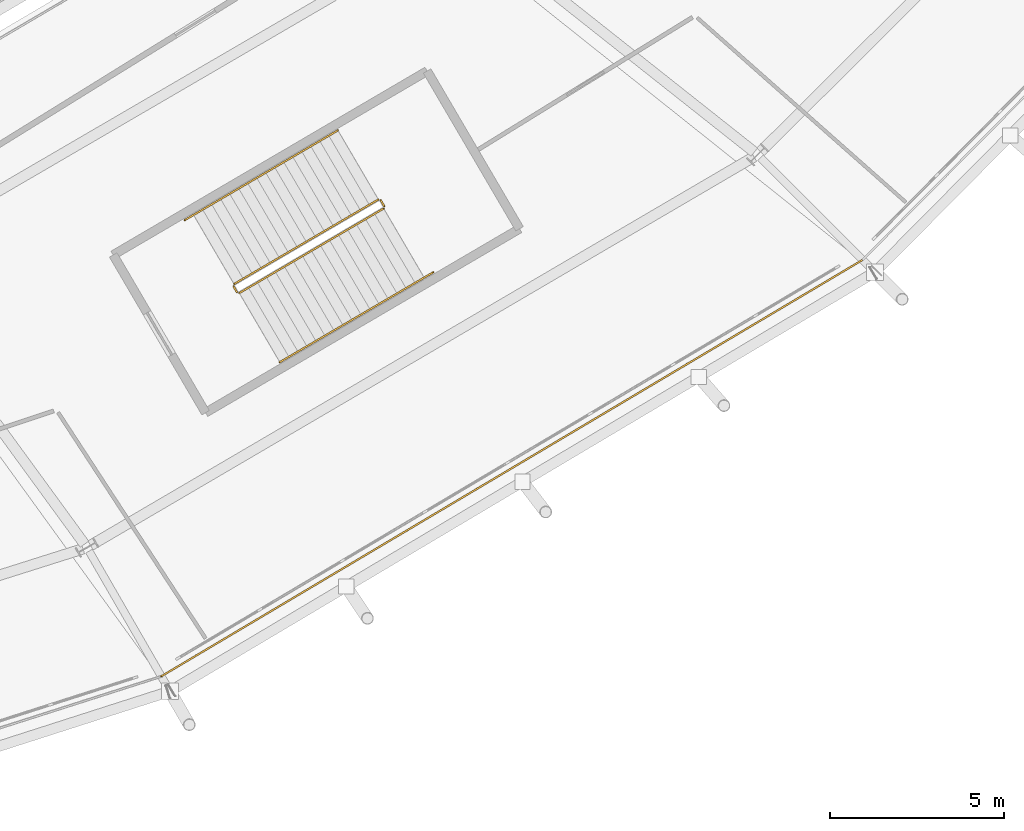
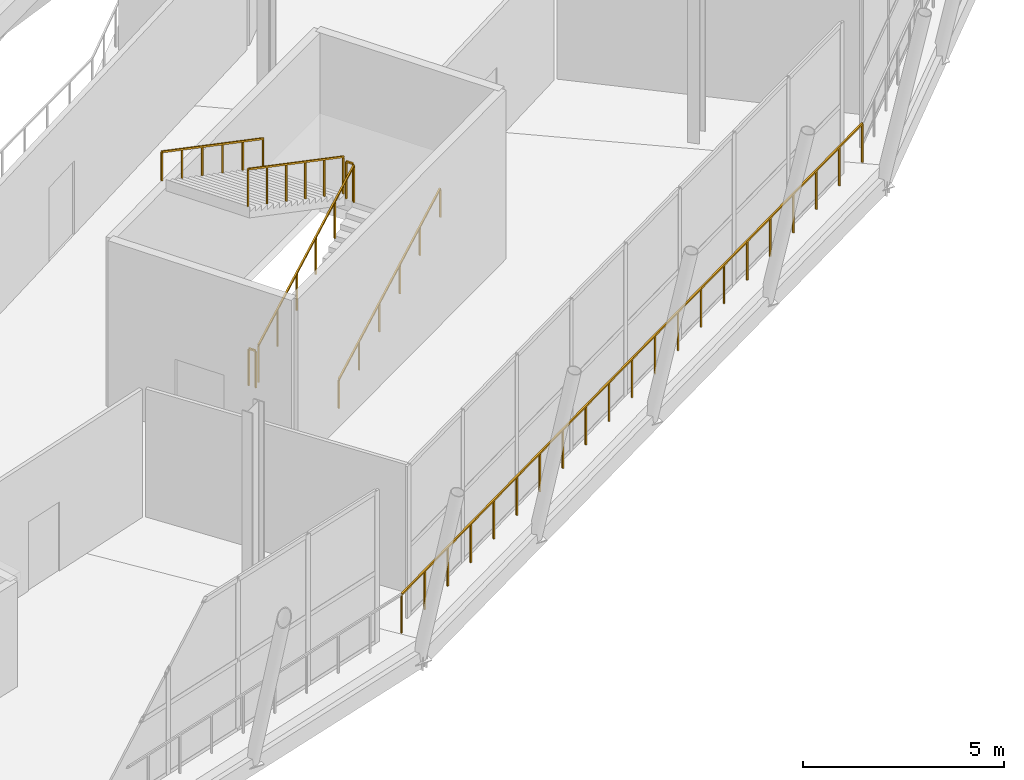
# One storey, part 117 of 126: 7 railings.
"""IFC4 building model written with IfcOpenShell, lengths in metres."""

from ifc_helpers import new_model, si_unit, direction, frame, origin, origin_2d, place, context, subcontext, project, spatial, rectangle, extrude, material, type_object, element, save


model = new_model("IFC4")

# Units and contexts
model_context = context("Model", 3, precision=1e-05, world=origin(), true_north=direction((0.0, 1.0)))
body_context = subcontext(model_context, "Body", "Model", "MODEL_VIEW")
ifc_project = project(units=[si_unit("LENGTHUNIT", "METRE"), si_unit("AREAUNIT", "SQUARE_METRE"), si_unit("VOLUMEUNIT", "CUBIC_METRE"), si_unit("PLANEANGLEUNIT", "RADIAN"), si_unit("MASSUNIT", "GRAM", prefix="KILO")], contexts=[model_context])

# Site, building, storey
site_placement = place(None, origin())
site = spatial("IfcSite", under=ifc_project, at=site_placement, CompositionType="ELEMENT")
building_placement = place(site_placement, origin())
building = spatial("IfcBuilding", under=site, at=building_placement, Name="Zlatoyarsky Gate Stadium", CompositionType="ELEMENT")
storey_placement = place(building_placement, frame((0.0, 0.0, 20.800048828125)))
storey = spatial("IfcBuildingStorey", under=building, at=storey_placement, Name="L04", CompositionType="ELEMENT", Elevation=20.800048828125)

# Railings
ifc_material_1 = material(Name="Powder-coated steel tubular guardrail", Category="steel")
railing_type_1 = type_object("IfcRailingType", Name="CONCOURSE SLAB EDGE GUARDRAIL 1200", PredefinedType="GUARDRAIL", material=ifc_material_1)
railing_1_placement = place(storey_placement, frame((159.634765625, 14.814697265625, 0.0)))
element("IfcRailing", 1, at=railing_1_placement, inside=storey, type_object=railing_type_1, Name="L04 outer slab edge guardrail 20", PredefinedType="GUARDRAIL", context=body_context, shape_type="SweptSolid", body=[
    extrude(rectangle(XDim=0.048095703125, YDim=0.048095703125, at=origin_2d()), frame((0.0, 0.0, 1.17578125), z_axis=(0.859846881346, 0.510551996019, 0.0), x_axis=(-0.510551996019, 0.859846881346, 0.0)), (0.0, 0.0, 1.0), 23.428955078125),
    extrude(rectangle(XDim=0.0419921875, YDim=0.0419921875, at=origin_2d()), origin(), (0.0, 0.0, 1.0), 1.15185546875),
    extrude(rectangle(XDim=0.0419921875, YDim=0.0419921875, at=origin_2d()), frame((1.00732421875, 0.59814453125, 0.0)), (0.0, 0.0, 1.0), 1.15185546875),
    extrude(rectangle(XDim=0.0419921875, YDim=0.0419921875, at=origin_2d()), frame((2.0146484375, 1.1962890625, 0.0)), (0.0, 0.0, 1.0), 1.15185546875),
    extrude(rectangle(XDim=0.0419921875, YDim=0.0419921875, at=origin_2d()), frame((3.021728515625, 1.794189453125, 0.0)), (0.0, 0.0, 1.0), 1.15185546875),
    extrude(rectangle(XDim=0.0419921875, YDim=0.0419921875, at=origin_2d()), frame((4.029052734375, 2.392333984375, 0.0)), (0.0, 0.0, 1.0), 1.15185546875),
    extrude(rectangle(XDim=0.0419921875, YDim=0.0419921875, at=origin_2d()), frame((5.036376953125, 2.990478515625, 0.0)), (0.0, 0.0, 1.0), 1.15185546875),
    extrude(rectangle(XDim=0.0419921875, YDim=0.0419921875, at=origin_2d()), frame((6.04345703125, 3.58837890625, 0.0)), (0.0, 0.0, 1.0), 1.15185546875),
    extrude(rectangle(XDim=0.0419921875, YDim=0.0419921875, at=origin_2d()), frame((7.05078125, 4.1865234375, 0.0)), (0.0, 0.0, 1.0), 1.15185546875),
    extrude(rectangle(XDim=0.0419921875, YDim=0.0419921875, at=origin_2d()), frame((8.05810546875, 4.78466796875, 0.0)), (0.0, 0.0, 1.0), 1.15185546875),
    extrude(rectangle(XDim=0.0419921875, YDim=0.0419921875, at=origin_2d()), frame((9.0654296875, 5.3828125, 0.0)), (0.0, 0.0, 1.0), 1.15185546875),
    extrude(rectangle(XDim=0.0419921875, YDim=0.0419921875, at=origin_2d()), frame((10.07275390625, 5.98095703125, 0.0)), (0.0, 0.0, 1.0), 1.15185546875),
    extrude(rectangle(XDim=0.0419921875, YDim=0.0419921875, at=origin_2d()), frame((11.079833984375, 6.578857421875, 0.0)), (0.0, 0.0, 1.0), 1.15185546875),
    extrude(rectangle(XDim=0.0419921875, YDim=0.0419921875, at=origin_2d()), frame((12.087158203125, 7.177001953125, 0.0)), (0.0, 0.0, 1.0), 1.15185546875),
    extrude(rectangle(XDim=0.0419921875, YDim=0.0419921875, at=origin_2d()), frame((13.094482421875, 7.775146484375, 0.0)), (0.0, 0.0, 1.0), 1.15185546875),
    extrude(rectangle(XDim=0.0419921875, YDim=0.0419921875, at=origin_2d()), frame((14.1015625, 8.373046875, 0.0)), (0.0, 0.0, 1.0), 1.15185546875),
    extrude(rectangle(XDim=0.0419921875, YDim=0.0419921875, at=origin_2d()), frame((15.10888671875, 8.97119140625, 0.0)), (0.0, 0.0, 1.0), 1.15185546875),
    extrude(rectangle(XDim=0.0419921875, YDim=0.0419921875, at=origin_2d()), frame((16.1162109375, 9.5693359375, 0.0)), (0.0, 0.0, 1.0), 1.15185546875),
    extrude(rectangle(XDim=0.0419921875, YDim=0.0419921875, at=origin_2d()), frame((17.12353515625, 10.16748046875, 0.0)), (0.0, 0.0, 1.0), 1.15185546875),
    extrude(rectangle(XDim=0.0419921875, YDim=0.0419921875, at=origin_2d()), frame((18.130859375, 10.765625, 0.0)), (0.0, 0.0, 1.0), 1.15185546875),
    extrude(rectangle(XDim=0.0419921875, YDim=0.0419921875, at=origin_2d()), frame((19.137939453125, 11.363525390625, 0.0)), (0.0, 0.0, 1.0), 1.15185546875),
    extrude(rectangle(XDim=0.0419921875, YDim=0.0419921875, at=origin_2d()), frame((20.145263671875, 11.961669921875, 0.0)), (0.0, 0.0, 1.0), 1.15185546875),
])
ifc_material_2 = material(Name="Powder-coated steel stair guardrail", Category="steel")
railing_type_2 = type_object("IfcRailingType", Name="PAINTED STEEL STAIR WELL GUARDRAIL 1150", PredefinedType="GUARDRAIL", material=ifc_material_2)
railing_2_placement = place(storey_placement, frame((161.8779296875, 25.8232421875, 0.15869140625)))
element("IfcRailing", 2, at=railing_2_placement, inside=storey, type_object=railing_type_2, Name="ST-11 L04 stair guard 1", PredefinedType="GUARDRAIL", context=body_context, shape_type="SweptSolid", body=[
    extrude(rectangle(XDim=0.048095703125, YDim=0.048095703125, at=origin_2d()), frame((0.0, 0.0, 1.1259765625), z_axis=(0.762561047884, 0.446730234253, 0.467902496311), x_axis=(-0.505476687537, 0.862840262364, 0.0)), (0.0, 0.0, 1.0), 5.43115234375),
    extrude(rectangle(XDim=0.0419921875, YDim=0.0419921875, at=origin_2d()), origin(), (0.0, 0.0, 1.0), 1.101806640625),
    extrude(rectangle(XDim=0.0419921875, YDim=0.0419921875, at=origin_2d()), frame((0.828369140625, 0.4853515625, 0.50830078125)), (0.0, 0.0, 1.0), 1.101806640625),
    extrude(rectangle(XDim=0.0419921875, YDim=0.0419921875, at=origin_2d()), frame((1.65673828125, 0.970458984375, 1.0166015625)), (0.0, 0.0, 1.0), 1.101806640625),
    extrude(rectangle(XDim=0.0419921875, YDim=0.0419921875, at=origin_2d()), frame((2.48486328125, 1.455810546875, 1.524658203125)), (0.0, 0.0, 1.0), 1.101806640625),
    extrude(rectangle(XDim=0.0419921875, YDim=0.0419921875, at=origin_2d()), frame((3.313232421875, 1.94091796875, 2.032958984375)), (0.0, 0.0, 1.0), 1.101806640625),
    extrude(rectangle(XDim=0.0419921875, YDim=0.0419921875, at=origin_2d()), frame((4.1416015625, 2.42626953125, 2.541259765625)), (0.0, 0.0, 1.0), 1.101806640625),
])
railing_3_placement = place(storey_placement, frame((166.037353515625, 28.31787109375, 2.699951171875)))
element("IfcRailing", 3, at=railing_3_placement, inside=storey, type_object=railing_type_2, Name="ST-11 L04 stair guard 2", PredefinedType="GUARDRAIL", context=body_context, shape_type="SweptSolid", body=[
    extrude(rectangle(XDim=0.048095703125, YDim=0.048095703125, at=origin_2d()), frame((0.0, 0.0, 1.1259765625), z_axis=(-0.505312229679, 0.862936585467, 0.0), x_axis=(-0.862936585467, -0.505312229679, 0.0)), (0.0, 0.0, 1.0), 0.199951171875),
    extrude(rectangle(XDim=0.0419921875, YDim=0.0419921875, at=origin_2d()), origin(), (0.0, 0.0, 1.0), 1.101806640625),
    extrude(rectangle(XDim=0.0419921875, YDim=0.0419921875, at=origin_2d()), frame((-0.10107421875, 0.172607421875, 0.0)), (0.0, 0.0, 1.0), 1.101806640625),
])
railing_4_placement = place(storey_placement, frame((165.867919921875, 28.50830078125, 2.85888671875)))
element("IfcRailing", 4, at=railing_4_placement, inside=storey, type_object=railing_type_2, Name="ST-11 L04 stair guard 3", PredefinedType="GUARDRAIL", context=body_context, shape_type="SweptSolid", body=[
    extrude(rectangle(XDim=0.048095703125, YDim=0.048095703125, at=origin_2d()), frame((0.0, 0.0, 1.1259765625), z_axis=(-0.762577086584, -0.446739630186, 0.467867384884), x_axis=(0.505476687537, -0.862840262364, 0.0)), (0.0, 0.0, 1.0), 5.43115234375),
    extrude(rectangle(XDim=0.0419921875, YDim=0.0419921875, at=origin_2d()), origin(), (0.0, 0.0, 1.0), 1.101806640625),
    extrude(rectangle(XDim=0.0419921875, YDim=0.0419921875, at=origin_2d()), frame((-0.828369140625, -0.4853515625, 0.50830078125)), (0.0, 0.0, 1.0), 1.101806640625),
    extrude(rectangle(XDim=0.0419921875, YDim=0.0419921875, at=origin_2d()), frame((-1.65673828125, -0.970458984375, 1.016357421875)), (0.0, 0.0, 1.0), 1.101806640625),
    extrude(rectangle(XDim=0.0419921875, YDim=0.0419921875, at=origin_2d()), frame((-2.48486328125, -1.455810546875, 1.524658203125)), (0.0, 0.0, 1.0), 1.101806640625),
    extrude(rectangle(XDim=0.0419921875, YDim=0.0419921875, at=origin_2d()), frame((-3.313232421875, -1.94091796875, 2.03271484375)), (0.0, 0.0, 1.0), 1.101806640625),
    extrude(rectangle(XDim=0.0419921875, YDim=0.0419921875, at=origin_2d()), frame((-4.1416015625, -2.42626953125, 2.541015625)), (0.0, 0.0, 1.0), 1.101806640625),
])
railing_5_placement = place(storey_placement, frame((161.809326171875, 25.841064453125, 0.0)))
element("IfcRailing", 5, at=railing_5_placement, inside=storey, type_object=railing_type_2, Name="ST-11 L04 stair guard 4", PredefinedType="GUARDRAIL", context=body_context, shape_type="SweptSolid", body=[
    extrude(rectangle(XDim=0.048095703125, YDim=0.048095703125, at=origin_2d()), frame((0.0, 0.0, 1.1259765625), z_axis=(-0.505312229679, 0.862936585467, 0.0), x_axis=(-0.862936585467, -0.505312229679, 0.0)), (0.0, 0.0, 1.0), 0.199951171875),
    extrude(rectangle(XDim=0.0419921875, YDim=0.0419921875, at=origin_2d()), origin(), (0.0, 0.0, 1.0), 1.101806640625),
    extrude(rectangle(XDim=0.0419921875, YDim=0.0419921875, at=origin_2d()), frame((-0.10107421875, 0.172607421875, 0.0)), (0.0, 0.0, 1.0), 1.101806640625),
])
ifc_material_3 = material(Name="Brushed stainless steel 316 handrail", Category="steel")
railing_type_3 = type_object("IfcRailingType", Name="STAINLESS STEEL TUBULAR HANDRAIL 900", PredefinedType="HANDRAIL", material=ifc_material_3)
railing_6_placement = place(storey_placement, frame((163.040283203125, 23.838623046875, 0.162841796875)))
element("IfcRailing", 6, at=railing_6_placement, inside=storey, type_object=railing_type_3, Name="ST-11 L04 stair handrail 1", PredefinedType="HANDRAIL", context=body_context, shape_type="SweptSolid", body=[
    extrude(rectangle(XDim=0.048095703125, YDim=0.048095703125, at=origin_2d()), frame((0.0, 0.0, 0.8759765625), z_axis=(0.762584619125, 0.446720166066, 0.467873692255), x_axis=(-0.505456573929, 0.862852045181, 0.0)), (0.0, 0.0, 1.0), 5.770751953125),
    extrude(rectangle(XDim=0.0419921875, YDim=0.0419921875, at=origin_2d()), origin(), (0.0, 0.0, 1.0), 0.851806640625),
    extrude(rectangle(XDim=0.0419921875, YDim=0.0419921875, at=origin_2d()), frame((0.880126953125, 0.515625, 0.5400390625)), (0.0, 0.0, 1.0), 0.851806640625),
    extrude(rectangle(XDim=0.0419921875, YDim=0.0419921875, at=origin_2d()), frame((1.76025390625, 1.03125, 1.080078125)), (0.0, 0.0, 1.0), 0.851806640625),
    extrude(rectangle(XDim=0.0419921875, YDim=0.0419921875, at=origin_2d()), frame((2.640380859375, 1.546630859375, 1.619873046875)), (0.0, 0.0, 1.0), 0.851806640625),
    extrude(rectangle(XDim=0.0419921875, YDim=0.0419921875, at=origin_2d()), frame((3.5205078125, 2.062255859375, 2.159912109375)), (0.0, 0.0, 1.0), 0.851806640625),
    extrude(rectangle(XDim=0.0419921875, YDim=0.0419921875, at=origin_2d()), frame((4.400634765625, 2.577880859375, 2.699951171875)), (0.0, 0.0, 1.0), 0.851806640625),
])
railing_7_placement = place(storey_placement, frame((164.705322265625, 30.492919921875, 2.86279296875)))
element("IfcRailing", 7, at=railing_7_placement, inside=storey, type_object=railing_type_3, Name="ST-11 L04 stair handrail 2", PredefinedType="HANDRAIL", context=body_context, shape_type="SweptSolid", body=[
    extrude(rectangle(XDim=0.048095703125, YDim=0.048095703125, at=origin_2d()), frame((0.0, 0.0, 0.8759765625), z_axis=(-0.762584619125, -0.446720166066, 0.467873692255), x_axis=(0.505456573929, -0.862852045181, 0.0)), (0.0, 0.0, 1.0), 5.770751953125),
    extrude(rectangle(XDim=0.0419921875, YDim=0.0419921875, at=origin_2d()), origin(), (0.0, 0.0, 1.0), 0.851806640625),
    extrude(rectangle(XDim=0.0419921875, YDim=0.0419921875, at=origin_2d()), frame((-0.880126953125, -0.515625, 0.5400390625)), (0.0, 0.0, 1.0), 0.851806640625),
    extrude(rectangle(XDim=0.0419921875, YDim=0.0419921875, at=origin_2d()), frame((-1.76025390625, -1.03125, 1.080078125)), (0.0, 0.0, 1.0), 0.851806640625),
    extrude(rectangle(XDim=0.0419921875, YDim=0.0419921875, at=origin_2d()), frame((-2.640380859375, -1.546630859375, 1.619873046875)), (0.0, 0.0, 1.0), 0.851806640625),
    extrude(rectangle(XDim=0.0419921875, YDim=0.0419921875, at=origin_2d()), frame((-3.5205078125, -2.062255859375, 2.159912109375)), (0.0, 0.0, 1.0), 0.851806640625),
    extrude(rectangle(XDim=0.0419921875, YDim=0.0419921875, at=origin_2d()), frame((-4.400634765625, -2.577880859375, 2.699951171875)), (0.0, 0.0, 1.0), 0.851806640625),
])

save(model, "model.ifc")
